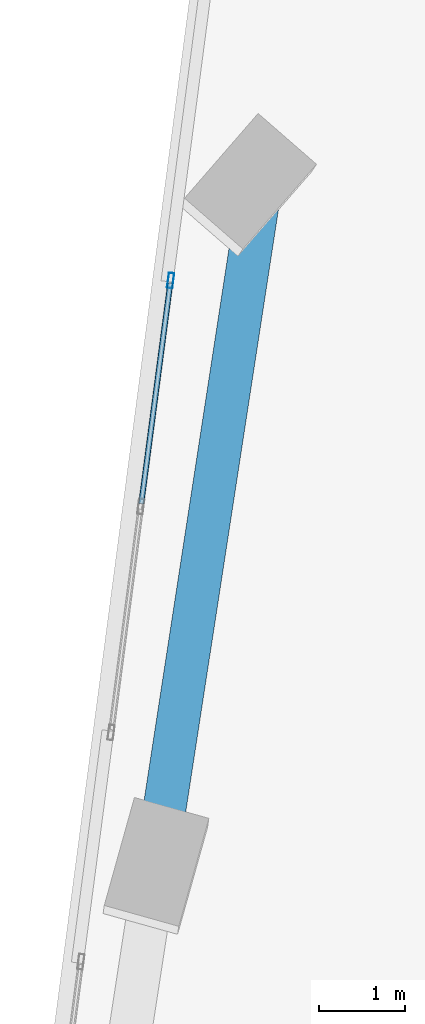
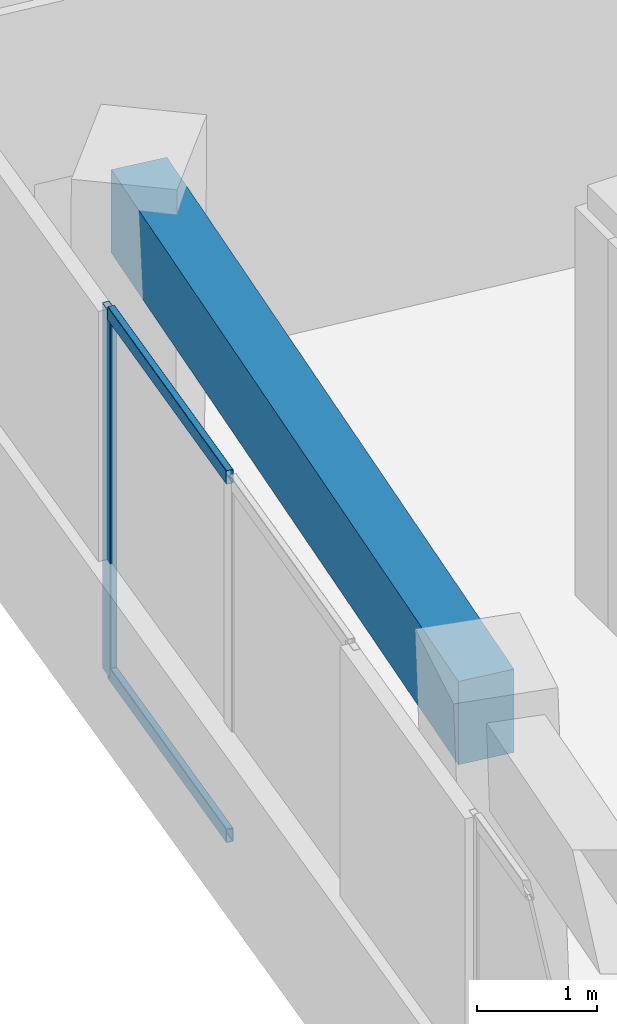
# One storey, part 8 of 24: 3 members, 1 beam, 1 element without a shape of its own.
"""IFC4 building model written with IfcOpenShell, lengths in metres."""

from ifc_helpers import new_model, si_unit, direction, frame, origin, origin_2d, place, context, subcontext, project, spatial, rectangle, hollow_rectangle, extrude, source, transform, mapped, material, material_profile, profile_set, type_object, element, aggregate, save


model = new_model("IFC4")

# Units and contexts
model_context = context("Model", 3, precision=1e-05, world=origin(), true_north=direction((0.0, 1.0)))
body_context = subcontext(model_context, "Body", "Model", "MODEL_VIEW")
ifc_project = project(units=[si_unit("LENGTHUNIT", "METRE"), si_unit("AREAUNIT", "SQUARE_METRE"), si_unit("VOLUMEUNIT", "CUBIC_METRE"), si_unit("PLANEANGLEUNIT", "RADIAN"), si_unit("MASSUNIT", "GRAM", prefix="KILO")], contexts=[model_context])

# Site, building, storey
site_placement = place(None, origin())
site = spatial("IfcSite", under=ifc_project, at=site_placement, CompositionType="ELEMENT")
building_placement = place(site_placement, origin())
building = spatial("IfcBuilding", under=site, at=building_placement, Name="Torre Montelarca", CompositionType="ELEMENT")
storey_placement = place(building_placement, frame((0.0, 0.0, 66.39990234375)))
storey = spatial("IfcBuildingStorey", under=building, at=storey_placement, Name="L14", CompositionType="ELEMENT", Elevation=66.39990234375)

# Beam
ifc_material_1 = material(Name="Concrete C55/67", Category="concrete")
ifc_material_profile_1 = material_profile(ifc_material_1, rectangle(XDim=0.5, YDim=0.85009765625, at=origin_2d()), Name="RCB500X850", Category="concrete")
ifc_profile_set_1 = profile_set([ifc_material_profile_1], Name="Concrete C55/67")
beam_type = type_object("IfcBeamType", Name="BM-SP-RC850-EXT", PredefinedType="SPANDREL", material=ifc_profile_set_1)
shared_shape_1 = source(origin(), body_context, "Body", "SweptSolid", [
    extrude(rectangle(XDim=0.5, YDim=0.85009765625, at=origin_2d()), origin(), (0.0, 0.0, 1.0), 8.0),
])
beam_placement = place(storey_placement, frame((4.84619140625, 34.563232421875, 3.53515625), z_axis=(0.152098461921, 0.988365346358, 0.0), x_axis=(-0.988365346358, 0.152098461921, 0.0)))
element("IfcBeam", 1, at=beam_placement, inside=storey, type_object=beam_type, Name="L14 Grid Girder Y 32.0-40.0 at X=4.7", PredefinedType="SPANDREL", context=body_context, shape_type="MappedRepresentation", body=[
    mapped(shared_shape_1, transform((0.0, 0.0, 0.0), scale=1.0)),
])

# Curtain wall, members
ifc_material_2 = material(Name="Insulated low-E laminated glass", Category="glass")
curtain_wall_type = type_object("IfcCurtainWallType", Name="CW-SYS-Z1", PredefinedType="USERDEFINED", material=ifc_material_2)
curtain_wall_placement = place(storey_placement, origin())
curtain_wall = element("IfcCurtainWall", 2, at=curtain_wall_placement, inside=storey, type_object=curtain_wall_type, Name="L14 Curtain Wall Run CW-T3-L14-E10-B1", ObjectType="UNITISED GLAZING", PredefinedType="USERDEFINED")
ifc_material_3 = material(Name="Anodised aluminium AA 6063-T6", Category="aluminium")
ifc_material_profile_2 = material_profile(ifc_material_3, hollow_rectangle(XDim=0.06494140625, YDim=0.139892578125, WallThickness=0.00390625, InnerFilletRadius=0.00390625, OuterFilletRadius=0.008056640625, at=origin_2d()), Name="ALU65X140X4", Category="aluminium")
ifc_profile_set_2 = profile_set([ifc_material_profile_2], Name="Anodised aluminium AA 6063-T6")
member_type_1 = type_object("IfcMemberType", Name="CWT-ALU140", PredefinedType="USERDEFINED", material=ifc_profile_set_2)
shared_shape_2 = source(origin(), body_context, "Body", "SweptSolid", [
    extrude(hollow_rectangle(XDim=0.06494140625, YDim=0.139892578125, WallThickness=0.00390625, InnerFilletRadius=0.00390625, OuterFilletRadius=0.008056640625, at=origin_2d()), origin(), (0.0, 0.0, 1.0), 2.588623046875),
])
member_1_placement = place(storey_placement, frame((4.968505859375, 41.0400390625, 0.03271484375), z_axis=(-0.130532584045, -0.991444019853, 0.0), x_axis=(0.991444019853, -0.130532584045, 0.0)))
member_1 = element("IfcMember", 3, at=member_1_placement, type_object=member_type_1, Name="CW transom 1.1", ObjectType="TRANSOM", PredefinedType="USERDEFINED", context=body_context, shape_type="MappedRepresentation", body=[
    mapped(shared_shape_2, transform((0.0, 0.0, 0.0), scale=1.0)),
])
member_2_placement = place(storey_placement, frame((4.968505859375, 41.0400390625, 3.6875), z_axis=(-0.130532584045, -0.991444019853, 0.0), x_axis=(0.991444019853, -0.130532584045, 0.0)))
member_2 = element("IfcMember", 4, at=member_2_placement, type_object=member_type_1, Name="CW transom 1.2", ObjectType="TRANSOM", PredefinedType="USERDEFINED", context=body_context, shape_type="MappedRepresentation", body=[
    mapped(shared_shape_2, transform((0.0, 0.0, 0.0), scale=1.0)),
])
ifc_material_profile_3 = material_profile(ifc_material_3, hollow_rectangle(XDim=0.06494140625, YDim=0.179931640625, WallThickness=0.00390625, InnerFilletRadius=0.00390625, OuterFilletRadius=0.008056640625, at=origin_2d()), Name="ALU65X180X4", Category="aluminium")
ifc_profile_set_3 = profile_set([ifc_material_profile_3], Name="Anodised aluminium AA 6063-T6")
member_type_2 = type_object("IfcMemberType", Name="CWM-ALU180", PredefinedType="MULLION", material=ifc_profile_set_3)
shared_shape_3 = source(origin(), body_context, "Body", "SweptSolid", [
    extrude(hollow_rectangle(XDim=0.06494140625, YDim=0.179931640625, WallThickness=0.00390625, InnerFilletRadius=0.00390625, OuterFilletRadius=0.008056640625, at=origin_2d()), origin(), (0.0, 0.0, 1.0), 3.72021484375),
])
member_3_placement = place(storey_placement, frame((4.972900390625, 41.072265625, 0.0), z_axis=(0.0, 0.0, 1.0), x_axis=(0.991443268198, -0.13053829302, 0.0)))
member_3 = element("IfcMember", 5, at=member_3_placement, type_object=member_type_2, Name="CW mullion 1", PredefinedType="MULLION", context=body_context, shape_type="MappedRepresentation", body=[
    mapped(shared_shape_3, transform((0.0, 0.0, 0.0), scale=1.0)),
])
aggregate(curtain_wall, [member_3, member_1, member_2])

save(model, "model.ifc")
